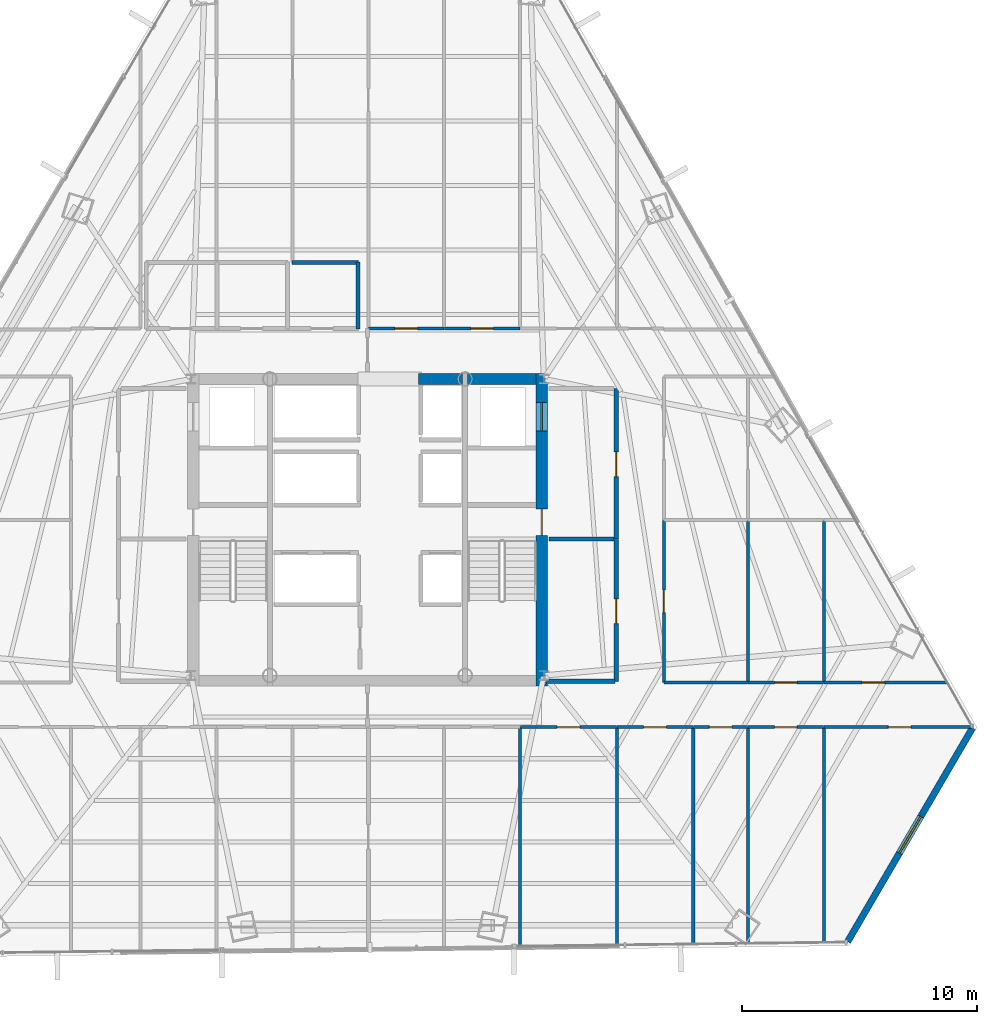
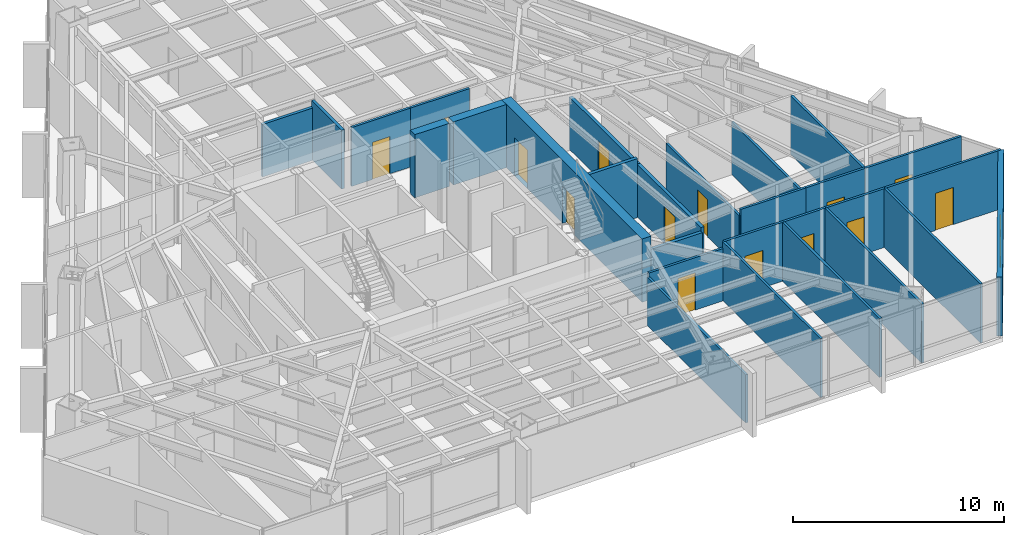
# One storey, part 31 of 35: 28 walls, 14 doors, 1 window, 15 openings.
"""IFC4 building model written with IfcOpenShell, lengths in metres."""

from ifc_helpers import new_model, si_unit, direction, frame, frame_2d, origin, place, context, subcontext, project, spatial, rectangle, extrude, material, layer, layer_set, type_object, element, fill, save


model = new_model("IFC4")

# Units and contexts
model_context = context("Model", 3, precision=1e-05, world=origin(), true_north=direction((0.0, 1.0)))
body_context = subcontext(model_context, "Body", "Model", "MODEL_VIEW")
ifc_project = project(units=[si_unit("LENGTHUNIT", "METRE"), si_unit("AREAUNIT", "SQUARE_METRE"), si_unit("VOLUMEUNIT", "CUBIC_METRE"), si_unit("PLANEANGLEUNIT", "RADIAN"), si_unit("MASSUNIT", "GRAM", prefix="KILO")], contexts=[model_context])

# Site, building, storey
site_placement = place(None, origin())
site = spatial("IfcSite", under=ifc_project, at=site_placement, CompositionType="ELEMENT")
building_placement = place(site_placement, origin())
building = spatial("IfcBuilding", under=site, at=building_placement, Name="Caelisora Broadcast Tower", CompositionType="ELEMENT")
storey_placement = place(building_placement, frame((0.0, 0.0, 123.64990234375)))
storey = spatial("IfcBuildingStorey", under=building, at=storey_placement, Name="L32", CompositionType="ELEMENT", Elevation=123.64990234375)

# Wall, openings, doors
ifc_material_1 = material(Name="Concrete 50 MPa (AS 3600 S50)", Category="concrete")
ifc_layer_1 = layer(ifc_material_1, 0.5, Name="Concrete 50 MPa (AS 3600 S50)")
ifc_layer_set_1 = layer_set([ifc_layer_1], Name="Concrete 50 MPa (AS 3600 S50)")
wall_type_1 = type_object("IfcWallType", Name="CW2", PredefinedType="SHEAR", material=ifc_layer_set_1)
wall_1_placement = place(storey_placement, frame((45.409912109375, 16.949951171875, 0.0), z_axis=(0.0, 0.0, 1.0), x_axis=(0.0, 1.0, 0.0)))
wall_1 = element("IfcWall", 1, at=wall_1_placement, inside=storey, type_object=wall_type_1, Name="L32 core shear wall CW2", PredefinedType="SHEAR", context=body_context, shape_type="SweptSolid", body=[
    extrude(rectangle(XDim=13.275146484375, YDim=0.5, at=frame_2d((6.6376953125, 0.0))), origin(), (0.0, 0.0, 1.0), 3.650146484375),
])
opening_1_placement = place(wall_1_placement, frame((6.39990234375, 0.0, 0.0)))
opening_1 = element("IfcOpeningElement", 2, at=opening_1_placement, cuts=wall_1, Name="Opening FD04", PredefinedType="OPENING", context=body_context, shape_type="SweptSolid", body=[
    extrude(rectangle(XDim=1.1201171875, YDim=2.14990234375, at=frame_2d((0.56005859375, 1.074951171875))), frame((0.0, 0.261962890625, 0.0), z_axis=(0.0, -1.0, 0.0), x_axis=(1.0, 0.0, 0.0)), (0.0, 0.0, 1.0), 0.52392578125),
])
opening_2_placement = place(wall_1_placement, frame((10.85009765625, 0.0, 0.0)))
opening_2 = element("IfcOpeningElement", 3, at=opening_2_placement, cuts=wall_1, Name="Opening LD04", PredefinedType="OPENING", context=body_context, shape_type="SweptSolid", body=[
    extrude(rectangle(XDim=1.199951171875, YDim=2.199951171875, at=frame_2d((0.60009765625, 1.10009765625))), frame((0.0, 0.261962890625, 0.0), z_axis=(0.0, -1.0, 0.0), x_axis=(1.0, 0.0, 0.0)), (0.0, 0.0, 1.0), 0.52392578125),
])
ifc_material_2 = material(Name="Pressurised Fire-Isolated Stair Door", Category="steel")
door_type_1 = type_object("IfcDoorType", Name="FD04", OperationType="NOTDEFINED", PredefinedType="DOOR", material=ifc_material_2)
door_1_placement = place(opening_1_placement, origin())
door_1 = element("IfcDoor", 4, at=door_1_placement, inside=storey, type_object=door_type_1, Name="L32 door FD04 (L32-DR-ST2)", OperationType="SINGLE_SWING_RIGHT", OverallHeight=2.14990234375, OverallWidth=1.1201171875, PredefinedType="DOOR", context=body_context, shape_type="SweptSolid", body=[
    extrude(rectangle(XDim=1.1201171875, YDim=2.14990234375, at=frame_2d((0.56005859375, 1.074951171875))), frame((0.0, 0.02490234375, 0.0), z_axis=(0.0, -1.0, 0.0), x_axis=(1.0, 0.0, 0.0)), (0.0, 0.0, 1.0), 0.050048828125),
])
fill(opening_1, door_1)
ifc_material_3 = material(Name="Emergency Firefighting Lift Sliding Landing Door", Category="steel")
door_type_2 = type_object("IfcDoorType", Name="LD04", OperationType="NOTDEFINED", PredefinedType="DOOR", material=ifc_material_3)
door_2_placement = place(opening_2_placement, origin())
door_2 = element("IfcDoor", 5, at=door_2_placement, inside=storey, type_object=door_type_2, Name="L32 door LD04 (L32-LD-FFL2)", OperationType="SLIDING_TO_RIGHT", OverallHeight=2.199951171875, OverallWidth=1.199951171875, PredefinedType="DOOR", context=body_context, shape_type="SweptSolid", body=[
    extrude(rectangle(XDim=1.199951171875, YDim=2.199951171875, at=frame_2d((0.60009765625, 1.10009765625))), frame((0.0, 0.02490234375, 0.0), z_axis=(0.0, -1.0, 0.0), x_axis=(1.0, 0.0, 0.0)), (0.0, 0.0, 1.0), 0.050048828125),
])
fill(opening_2, door_2)

# Walls
ifc_layer_2 = layer(ifc_material_1, 0.449951171875, Name="Concrete 50 MPa (AS 3600 S50)")
ifc_layer_set_2 = layer_set([ifc_layer_2], Name="Concrete 50 MPa (AS 3600 S50)")
wall_type_2 = type_object("IfcWallType", Name="CW5", PredefinedType="SHEAR", material=ifc_layer_set_2)
wall_2_placement = place(storey_placement, frame((40.159912109375, 30.0, 0.0), z_axis=(0.0, 0.0, 1.0), x_axis=(1.0, 0.0, 0.0)))
element("IfcWall", 6, at=wall_2_placement, inside=storey, type_object=wall_type_2, Name="L32 core shear wall CW5", PredefinedType="SHEAR", context=body_context, shape_type="SweptSolid", body=[
    extrude(rectangle(XDim=1.880126953125, YDim=0.449951171875, at=frame_2d((0.93994140625, 0.0))), origin(), (0.0, 0.0, 1.0), 3.650146484375),
])
wall_3_placement = place(storey_placement, frame((42.260009765625, 30.0, 0.0), z_axis=(0.0, 0.0, 1.0), x_axis=(1.0, 0.0, 0.0)))
element("IfcWall", 7, at=wall_3_placement, inside=storey, type_object=wall_type_2, Name="L32 core shear wall CW5", PredefinedType="SHEAR", context=body_context, shape_type="SweptSolid", body=[
    extrude(rectangle(XDim=2.89990234375, YDim=0.449951171875, at=frame_2d((1.449951171875, 0.0))), origin(), (0.0, 0.0, 1.0), 3.650146484375),
])

# Wall, opening, window
ifc_material_4 = material(Name="Insulated Terracotta Spandrel Wall System", Category="masonry")
ifc_layer_3 = layer(ifc_material_4, 0.280029296875, Name="Insulated Terracotta Spandrel Wall System")
ifc_layer_set_3 = layer_set([ifc_layer_3], Name="Insulated Terracotta Spandrel Wall System")
wall_type_3 = type_object("IfcWallType", Name="EW1", PredefinedType="STANDARD", material=ifc_layer_set_3)
wall_4_placement = place(storey_placement, frame((63.721923828125, 15.1669921875, 0.0), z_axis=(0.0, 0.0, 1.0), x_axis=(-0.504471184062, -0.863428528861, 0.0)))
wall_4 = element("IfcWall", 8, at=wall_4_placement, inside=storey, type_object=wall_type_3, Name="L32 exterior envelope wall EW1", PredefinedType="STANDARD", context=body_context, shape_type="SweptSolid", body=[
    extrude(rectangle(XDim=10.519775390625, YDim=0.280029296875, at=frame_2d((5.259765625, 0.0))), origin(), (0.0, 0.0, 1.0), 3.400146484375),
])
opening_3_placement = place(wall_4_placement, frame((4.360107421875, 0.0, 0.89990234375)))
opening_3 = element("IfcOpeningElement", 9, at=opening_3_placement, cuts=wall_4, Name="Opening W01", PredefinedType="OPENING", context=body_context, shape_type="SweptSolid", body=[
    extrude(rectangle(XDim=1.800048828125, YDim=1.800048828125, at=frame_2d((0.89990234375, 0.89990234375))), frame((0.0, 0.152099609375, 0.0), z_axis=(0.0, -1.0, 0.0), x_axis=(1.0, 0.0, 0.0)), (0.0, 0.0, 1.0), 0.303955078125),
])
ifc_material_5 = material(Name="Double Glazed Terracotta-Framed Vision Window", Category="glass")
window_type = type_object("IfcWindowType", Name="W01", PartitioningType="SINGLE_PANEL", PredefinedType="WINDOW", material=ifc_material_5)
window_placement = place(opening_3_placement, origin())
window = element("IfcWindow", 10, at=window_placement, inside=storey, type_object=window_type, Name="L32 window W01 (L32-WN-CH0)", OverallHeight=1.800048828125, OverallWidth=1.800048828125, PartitioningType="SINGLE_PANEL", PredefinedType="WINDOW", context=body_context, shape_type="SweptSolid", body=[
    extrude(rectangle(XDim=1.800048828125, YDim=1.800048828125, at=frame_2d((0.89990234375, 0.89990234375))), frame((0.0, 0.030029296875, 0.0), z_axis=(0.0, -1.0, 0.0), x_axis=(1.0, 0.0, 0.0)), (0.0, 0.0, 1.0), 0.06005859375),
])
fill(opening_3, window)

# Wall, opening, door
ifc_material_6 = material(Name="Fire-Rated Gypsum Shaft and Compartment Wall", Category="gypsum")
ifc_layer_4 = layer(ifc_material_6, 0.179931640625, Name="Fire-Rated Gypsum Shaft and Compartment Wall")
ifc_layer_set_4 = layer_set([ifc_layer_4], Name="Fire-Rated Gypsum Shaft and Compartment Wall")
wall_type_4 = type_object("IfcWallType", Name="PW2", PredefinedType="PARTITIONING", material=ifc_layer_set_4)
wall_5_placement = place(storey_placement, frame((48.580078125, 23.199951171875, 0.0), z_axis=(0.0, 0.0, 1.0), x_axis=(0.0, 1.0, 0.0)))
wall_5 = element("IfcWall", 11, at=wall_5_placement, inside=storey, type_object=wall_type_4, Name="L32 fire compartment wall PW2", PredefinedType="PARTITIONING", context=body_context, shape_type="SweptSolid", body=[
    extrude(rectangle(XDim=6.400146484375, YDim=0.179931640625, at=frame_2d((3.2001953125, 0.0))), origin(), (0.0, 0.0, 1.0), 3.026611328125),
])
opening_4_placement = place(wall_5_placement, frame((2.64990234375, 0.0, 0.0)))
opening_4 = element("IfcOpeningElement", 12, at=opening_4_placement, cuts=wall_5, Name="Opening FD02", PredefinedType="OPENING", context=body_context, shape_type="SweptSolid", body=[
    extrude(rectangle(XDim=1.050048828125, YDim=2.14990234375, at=frame_2d((0.52490234375, 1.074951171875))), frame((0.0, 0.10205078125, 0.0), z_axis=(0.0, -1.0, 0.0), x_axis=(1.0, 0.0, 0.0)), (0.0, 0.0, 1.0), 0.203857421875),
])
ifc_material_7 = material(Name="Single-Leaf Steel Fire Lobby Door", Category="steel")
door_type_3 = type_object("IfcDoorType", Name="FD02", OperationType="NOTDEFINED", PredefinedType="DOOR", material=ifc_material_7)
door_3_placement = place(opening_4_placement, origin())
door_3 = element("IfcDoor", 13, at=door_3_placement, inside=storey, type_object=door_type_3, Name="L32 door FD02 (L32-DR-P04D1)", OperationType="SINGLE_SWING_RIGHT", OverallHeight=2.14990234375, OverallWidth=1.050048828125, PredefinedType="DOOR", context=body_context, shape_type="SweptSolid", body=[
    extrude(rectangle(XDim=1.050048828125, YDim=2.14990234375, at=frame_2d((0.52490234375, 1.074951171875))), frame((0.0, 0.02490234375, 0.0), z_axis=(0.0, -1.0, 0.0), x_axis=(1.0, 0.0, 0.0)), (0.0, 0.0, 1.0), 0.050048828125),
])
fill(opening_4, door_3)

# Wall
wall_6_placement = place(storey_placement, frame((45.719970703125, 23.199951171875, 0.0), z_axis=(0.0, 0.0, 1.0), x_axis=(1.0, 0.0, 0.0)))
element("IfcWall", 14, at=wall_6_placement, inside=storey, type_object=wall_type_4, Name="L32 fire compartment wall PW2", PredefinedType="PARTITIONING", context=body_context, shape_type="SweptSolid", body=[
    extrude(rectangle(XDim=2.760009765625, YDim=0.179931640625, at=frame_2d((1.3798828125, 0.0))), origin(), (0.0, 0.0, 1.0), 3.400146484375),
])

# Wall, opening, door
wall_7_placement = place(storey_placement, frame((48.580078125, 17.14990234375, 0.0), z_axis=(0.0, 0.0, 1.0), x_axis=(0.0, 1.0, 0.0)))
wall_7 = element("IfcWall", 15, at=wall_7_placement, inside=storey, type_object=wall_type_4, Name="L32 fire compartment wall PW2", PredefinedType="PARTITIONING", context=body_context, shape_type="SweptSolid", body=[
    extrude(rectangle(XDim=6.030029296875, YDim=0.179931640625, at=frame_2d((3.01513671875, 0.0))), origin(), (0.0, 0.0, 1.0), 3.026611328125),
])
opening_5_placement = place(wall_7_placement, frame((2.449951171875, 0.0, 0.0)))
opening_5 = element("IfcOpeningElement", 16, at=opening_5_placement, cuts=wall_7, Name="Opening FD02", PredefinedType="OPENING", context=body_context, shape_type="SweptSolid", body=[
    extrude(rectangle(XDim=1.050048828125, YDim=2.14990234375, at=frame_2d((0.52490234375, 1.074951171875))), frame((0.0, 0.10205078125, 0.0), z_axis=(0.0, -1.0, 0.0), x_axis=(1.0, 0.0, 0.0)), (0.0, 0.0, 1.0), 0.203857421875),
])
door_4_placement = place(opening_5_placement, origin())
door_4 = element("IfcDoor", 17, at=door_4_placement, inside=storey, type_object=door_type_3, Name="L32 door FD02 (L32-DR-P14D1)", OperationType="SINGLE_SWING_LEFT", OverallHeight=2.14990234375, OverallWidth=1.050048828125, PredefinedType="DOOR", context=body_context, shape_type="SweptSolid", body=[
    extrude(rectangle(XDim=1.050048828125, YDim=2.14990234375, at=frame_2d((0.52490234375, 1.074951171875))), frame((0.0, 0.02490234375, 0.0), z_axis=(0.0, -1.0, 0.0), x_axis=(1.0, 0.0, 0.0)), (0.0, 0.0, 1.0), 0.050048828125),
])
fill(opening_5, door_4)

# Walls
wall_8_placement = place(storey_placement, frame((45.6201171875, 17.14990234375, 0.0), z_axis=(0.0, 0.0, 1.0), x_axis=(1.0, 0.0, 0.0)))
element("IfcWall", 18, at=wall_8_placement, inside=storey, type_object=wall_type_4, Name="L32 fire compartment wall PW2", PredefinedType="PARTITIONING", context=body_context, shape_type="SweptSolid", body=[
    extrude(rectangle(XDim=2.89990234375, YDim=0.179931640625, at=frame_2d((1.449951171875, 0.0))), origin(), (0.0, 0.0, 1.0), 2.782958984375),
])
ifc_material_8 = material(Name="Acoustic Steel-Stud Plasterboard Partition", Category="gypsum")
ifc_layer_5 = layer(ifc_material_8, 0.1298828125, Name="Acoustic Steel-Stud Plasterboard Partition")
ifc_layer_set_5 = layer_set([ifc_layer_5], Name="Acoustic Steel-Stud Plasterboard Partition")
wall_type_5 = type_object("IfcWallType", Name="PW3", PredefinedType="PARTITIONING", material=ifc_layer_set_5)
wall_9_placement = place(storey_placement, frame((44.489990234375, 5.879638671875, 0.0), z_axis=(0.0, 0.0, 1.0), x_axis=(0.0, 1.0, 0.0)))
element("IfcWall", 19, at=wall_9_placement, inside=storey, type_object=wall_type_5, Name="L32 internal partition PW3", PredefinedType="PARTITIONING", context=body_context, shape_type="SweptSolid", body=[
    extrude(rectangle(XDim=9.3154296875, YDim=0.1298828125, at=frame_2d((4.65771484375, 0.0))), origin(), (0.0, 0.0, 1.0), 2.782958984375),
])
wall_10_placement = place(storey_placement, frame((48.60009765625, 5.930908203125, 0.0), z_axis=(0.0, 0.0, 1.0), x_axis=(0.0, 1.0, 0.0)))
element("IfcWall", 20, at=wall_10_placement, inside=storey, type_object=wall_type_5, Name="L32 internal partition PW3", PredefinedType="PARTITIONING", context=body_context, shape_type="SweptSolid", body=[
    extrude(rectangle(XDim=9.26416015625, YDim=0.1298828125, at=frame_2d((4.632080078125, 0.0))), origin(), (0.0, 0.0, 1.0), 3.400146484375),
])
wall_11_placement = place(storey_placement, frame((51.85009765625, 5.97119140625, 0.0), z_axis=(0.0, 0.0, 1.0), x_axis=(0.0, 1.0, 0.0)))
element("IfcWall", 21, at=wall_11_placement, inside=storey, type_object=wall_type_5, Name="L32 internal partition PW3", PredefinedType="PARTITIONING", context=body_context, shape_type="SweptSolid", body=[
    extrude(rectangle(XDim=9.223876953125, YDim=0.1298828125, at=frame_2d((4.61181640625, 0.0))), origin(), (0.0, 0.0, 1.0), 3.400146484375),
])
wall_12_placement = place(storey_placement, frame((54.169921875, 6.000244140625, 0.0), z_axis=(0.0, 0.0, 1.0), x_axis=(0.0, 1.0, 0.0)))
element("IfcWall", 22, at=wall_12_placement, inside=storey, type_object=wall_type_5, Name="L32 internal partition PW3", PredefinedType="PARTITIONING", context=body_context, shape_type="SweptSolid", body=[
    extrude(rectangle(XDim=9.19482421875, YDim=0.1298828125, at=frame_2d((4.597412109375, 0.0))), origin(), (0.0, 0.0, 1.0), 3.400146484375),
])
wall_13_placement = place(storey_placement, frame((57.39990234375, 6.04052734375, 0.0), z_axis=(0.0, 0.0, 1.0), x_axis=(0.0, 1.0, 0.0)))
element("IfcWall", 23, at=wall_13_placement, inside=storey, type_object=wall_type_5, Name="L32 internal partition PW3", PredefinedType="PARTITIONING", context=body_context, shape_type="SweptSolid", body=[
    extrude(rectangle(XDim=9.154541015625, YDim=0.1298828125, at=frame_2d((4.5771484375, 0.0))), origin(), (0.0, 0.0, 1.0), 3.400146484375),
])

# Wall, opening, door
wall_14_placement = place(storey_placement, frame((50.60009765625, 17.10498046875, 0.0), z_axis=(0.0, 0.0, 1.0), x_axis=(0.0, 1.0, 0.0)))
wall_14 = element("IfcWall", 24, at=wall_14_placement, inside=storey, type_object=wall_type_5, Name="L32 internal partition PW3", PredefinedType="PARTITIONING", context=body_context, shape_type="SweptSolid", body=[
    extrude(rectangle(XDim=6.89013671875, YDim=0.1298828125, at=frame_2d((3.445068359375, 0.0))), origin(), (0.0, 0.0, 1.0), 3.026611328125),
])
opening_6_placement = place(wall_14_placement, frame((2.965087890625, 0.0, 0.0)))
opening_6 = element("IfcOpeningElement", 25, at=opening_6_placement, cuts=wall_14, Name="Opening D01", PredefinedType="OPENING", context=body_context, shape_type="SweptSolid", body=[
    extrude(rectangle(XDim=0.9599609375, YDim=2.14990234375, at=frame_2d((0.47998046875, 1.074951171875))), frame((0.0, 0.076904296875, 0.0), z_axis=(0.0, -1.0, 0.0), x_axis=(1.0, 0.0, 0.0)), (0.0, 0.0, 1.0), 0.15380859375),
])
ifc_material_9 = material(Name="Solid-Core Timber Acoustic Office Door", Category="wood")
door_type_4 = type_object("IfcDoorType", Name="D01", OperationType="NOTDEFINED", PredefinedType="DOOR", material=ifc_material_9)
door_5_placement = place(opening_6_placement, origin())
door_5 = element("IfcDoor", 26, at=door_5_placement, inside=storey, type_object=door_type_4, Name="L32 door D01 (L32-DR-P48D1)", OperationType="SINGLE_SWING_RIGHT", OverallHeight=2.14990234375, OverallWidth=0.9599609375, PredefinedType="DOOR", context=body_context, shape_type="SweptSolid", body=[
    extrude(rectangle(XDim=0.9599609375, YDim=2.14990234375, at=frame_2d((0.47998046875, 1.074951171875))), frame((0.0, 0.02490234375, 0.0), z_axis=(0.0, -1.0, 0.0), x_axis=(1.0, 0.0, 0.0)), (0.0, 0.0, 1.0), 0.050048828125),
])
fill(opening_6, door_5)

# Walls
wall_15_placement = place(storey_placement, frame((54.169921875, 17.10498046875, 0.0), z_axis=(0.0, 0.0, 1.0), x_axis=(0.0, 1.0, 0.0)))
element("IfcWall", 27, at=wall_15_placement, inside=storey, type_object=wall_type_5, Name="L32 internal partition PW3", PredefinedType="PARTITIONING", context=body_context, shape_type="SweptSolid", body=[
    extrude(rectangle(XDim=6.89013671875, YDim=0.1298828125, at=frame_2d((3.445068359375, 0.0))), origin(), (0.0, 0.0, 1.0), 3.026611328125),
])
wall_16_placement = place(storey_placement, frame((57.39990234375, 17.10498046875, 0.0), z_axis=(0.0, 0.0, 1.0), x_axis=(0.0, 1.0, 0.0)))
element("IfcWall", 28, at=wall_16_placement, inside=storey, type_object=wall_type_5, Name="L32 internal partition PW3", PredefinedType="PARTITIONING", context=body_context, shape_type="SweptSolid", body=[
    extrude(rectangle(XDim=6.89013671875, YDim=0.1298828125, at=frame_2d((3.445068359375, 0.0))), origin(), (0.0, 0.0, 1.0), 3.400146484375),
])

# Wall, opening, door
wall_17_placement = place(storey_placement, frame((57.405029296875, 15.199951171875, 0.0), z_axis=(0.0, 0.0, 1.0), x_axis=(1.0, 0.0, 0.0)))
wall_17 = element("IfcWall", 29, at=wall_17_placement, inside=storey, type_object=wall_type_5, Name="L32 internal partition PW3", PredefinedType="PARTITIONING", context=body_context, shape_type="SweptSolid", body=[
    extrude(rectangle(XDim=6.333740234375, YDim=0.1298828125, at=frame_2d((3.1669921875, 0.0))), origin(), (0.0, 0.0, 1.0), 3.400146484375),
])
opening_7_placement = place(wall_17_placement, frame((2.742919921875, 0.0, 0.0)))
opening_7 = element("IfcOpeningElement", 30, at=opening_7_placement, cuts=wall_17, Name="Opening D01", PredefinedType="OPENING", context=body_context, shape_type="SweptSolid", body=[
    extrude(rectangle(XDim=0.9599609375, YDim=2.14990234375, at=frame_2d((0.47998046875, 1.074951171875))), frame((0.0, 0.076904296875, 0.0), z_axis=(0.0, -1.0, 0.0), x_axis=(1.0, 0.0, 0.0)), (0.0, 0.0, 1.0), 0.15380859375),
])
door_6_placement = place(opening_7_placement, origin())
door_6 = element("IfcDoor", 31, at=door_6_placement, inside=storey, type_object=door_type_4, Name="L32 door D01 (L32-DR-P53D1)", OperationType="SINGLE_SWING_LEFT", OverallHeight=2.14990234375, OverallWidth=0.9599609375, PredefinedType="DOOR", context=body_context, shape_type="SweptSolid", body=[
    extrude(rectangle(XDim=0.9599609375, YDim=2.14990234375, at=frame_2d((0.47998046875, 1.074951171875))), frame((0.0, 0.02490234375, 0.0), z_axis=(0.0, -1.0, 0.0), x_axis=(1.0, 0.0, 0.0)), (0.0, 0.0, 1.0), 0.050048828125),
])
fill(opening_7, door_6)

wall_18_placement = place(storey_placement, frame((57.405029296875, 17.10009765625, 0.0), z_axis=(0.0, 0.0, 1.0), x_axis=(1.0, 0.0, 0.0)))
wall_18 = element("IfcWall", 32, at=wall_18_placement, inside=storey, type_object=wall_type_5, Name="L32 internal partition PW3", PredefinedType="PARTITIONING", context=body_context, shape_type="SweptSolid", body=[
    extrude(rectangle(XDim=5.255126953125, YDim=0.1298828125, at=frame_2d((2.62744140625, 0.0))), origin(), (0.0, 0.0, 1.0), 3.400146484375),
])
opening_8_placement = place(wall_18_placement, frame((1.6201171875, 0.0, 0.0)))
opening_8 = element("IfcOpeningElement", 33, at=opening_8_placement, cuts=wall_18, Name="Opening D01", PredefinedType="OPENING", context=body_context, shape_type="SweptSolid", body=[
    extrude(rectangle(XDim=0.9599609375, YDim=2.14990234375, at=frame_2d((0.47998046875, 1.074951171875))), frame((0.0, 0.076904296875, 0.0), z_axis=(0.0, -1.0, 0.0), x_axis=(1.0, 0.0, 0.0)), (0.0, 0.0, 1.0), 0.15380859375),
])
door_7_placement = place(opening_8_placement, origin())
door_7 = element("IfcDoor", 34, at=door_7_placement, inside=storey, type_object=door_type_4, Name="L32 door D01 (L32-DR-P59D1)", OperationType="SINGLE_SWING_RIGHT", OverallHeight=2.14990234375, OverallWidth=0.9599609375, PredefinedType="DOOR", context=body_context, shape_type="SweptSolid", body=[
    extrude(rectangle(XDim=0.9599609375, YDim=2.14990234375, at=frame_2d((0.47998046875, 1.074951171875))), frame((0.0, 0.02490234375, 0.0), z_axis=(0.0, -1.0, 0.0), x_axis=(1.0, 0.0, 0.0)), (0.0, 0.0, 1.0), 0.050048828125),
])
fill(opening_8, door_7)

wall_19_placement = place(storey_placement, frame((44.4951171875, 15.199951171875, 0.0), z_axis=(0.0, 0.0, 1.0), x_axis=(1.0, 0.0, 0.0)))
wall_19 = element("IfcWall", 35, at=wall_19_placement, inside=storey, type_object=wall_type_5, Name="L32 internal partition PW3", PredefinedType="PARTITIONING", context=body_context, shape_type="SweptSolid", body=[
    extrude(rectangle(XDim=4.099853515625, YDim=0.1298828125, at=frame_2d((2.0498046875, 0.0))), origin(), (0.0, 0.0, 1.0), 3.026611328125),
])
opening_9_placement = place(wall_19_placement, frame((1.570068359375, 0.0, 0.0)))
opening_9 = element("IfcOpeningElement", 36, at=opening_9_placement, cuts=wall_19, Name="Opening D01", PredefinedType="OPENING", context=body_context, shape_type="SweptSolid", body=[
    extrude(rectangle(XDim=0.9599609375, YDim=2.14990234375, at=frame_2d((0.47998046875, 1.074951171875))), frame((0.0, 0.076904296875, 0.0), z_axis=(0.0, -1.0, 0.0), x_axis=(1.0, 0.0, 0.0)), (0.0, 0.0, 1.0), 0.15380859375),
])
door_8_placement = place(opening_9_placement, origin())
door_8 = element("IfcDoor", 37, at=door_8_placement, inside=storey, type_object=door_type_4, Name="L32 door D01 (L32-DR-P62D1)", OperationType="SINGLE_SWING_LEFT", OverallHeight=2.14990234375, OverallWidth=0.9599609375, PredefinedType="DOOR", context=body_context, shape_type="SweptSolid", body=[
    extrude(rectangle(XDim=0.9599609375, YDim=2.14990234375, at=frame_2d((0.47998046875, 1.074951171875))), frame((0.0, 0.02490234375, 0.0), z_axis=(0.0, -1.0, 0.0), x_axis=(1.0, 0.0, 0.0)), (0.0, 0.0, 1.0), 0.050048828125),
])
fill(opening_9, door_8)

# Wall
wall_20_placement = place(storey_placement, frame((54.1650390625, 17.10009765625, 0.0), z_axis=(0.0, 0.0, 1.0), x_axis=(-1.0, 0.0, 0.0)))
element("IfcWall", 38, at=wall_20_placement, inside=storey, type_object=wall_type_5, Name="L32 internal partition PW3", PredefinedType="PARTITIONING", context=body_context, shape_type="SweptSolid", body=[
    extrude(rectangle(XDim=3.56005859375, YDim=0.1298828125, at=frame_2d((1.780029296875, 0.0))), origin(), (0.0, 0.0, 1.0), 3.400146484375),
])

# Wall, opening, door
wall_21_placement = place(storey_placement, frame((48.60498046875, 15.199951171875, 0.0), z_axis=(0.0, 0.0, 1.0), x_axis=(1.0, 0.0, 0.0)))
wall_21 = element("IfcWall", 39, at=wall_21_placement, inside=storey, type_object=wall_type_5, Name="L32 internal partition PW3", PredefinedType="PARTITIONING", context=body_context, shape_type="SweptSolid", body=[
    extrude(rectangle(XDim=3.239990234375, YDim=0.1298828125, at=frame_2d((1.6201171875, 0.0))), origin(), (0.0, 0.0, 1.0), 3.400146484375),
])
opening_10_placement = place(wall_21_placement, frame((1.139892578125, 0.0, 0.0)))
opening_10 = element("IfcOpeningElement", 40, at=opening_10_placement, cuts=wall_21, Name="Opening D01", PredefinedType="OPENING", context=body_context, shape_type="SweptSolid", body=[
    extrude(rectangle(XDim=0.9599609375, YDim=2.14990234375, at=frame_2d((0.47998046875, 1.074951171875))), frame((0.0, 0.076904296875, 0.0), z_axis=(0.0, -1.0, 0.0), x_axis=(1.0, 0.0, 0.0)), (0.0, 0.0, 1.0), 0.15380859375),
])
door_9_placement = place(opening_10_placement, origin())
door_9 = element("IfcDoor", 41, at=door_9_placement, inside=storey, type_object=door_type_4, Name="L32 door D01 (L32-DR-P72D1)", OperationType="SINGLE_SWING_LEFT", OverallHeight=2.14990234375, OverallWidth=0.9599609375, PredefinedType="DOOR", context=body_context, shape_type="SweptSolid", body=[
    extrude(rectangle(XDim=0.9599609375, YDim=2.14990234375, at=frame_2d((0.47998046875, 1.074951171875))), frame((0.0, 0.02490234375, 0.0), z_axis=(0.0, -1.0, 0.0), x_axis=(1.0, 0.0, 0.0)), (0.0, 0.0, 1.0), 0.050048828125),
])
fill(opening_10, door_9)

wall_22_placement = place(storey_placement, frame((41.264892578125, 32.14990234375, 0.0), z_axis=(0.0, 0.0, 1.0), x_axis=(1.0, 0.0, 0.0)))
wall_22 = element("IfcWall", 42, at=wall_22_placement, inside=storey, type_object=wall_type_5, Name="L32 internal partition PW3", PredefinedType="PARTITIONING", context=body_context, shape_type="SweptSolid", body=[
    extrude(rectangle(XDim=3.22021484375, YDim=0.1298828125, at=frame_2d((1.610107421875, 0.0))), origin(), (0.0, 0.0, 1.0), 3.400146484375),
])
opening_11_placement = place(wall_22_placement, frame((1.1298828125, 0.0, 0.0)))
opening_11 = element("IfcOpeningElement", 43, at=opening_11_placement, cuts=wall_22, Name="Opening D01", PredefinedType="OPENING", context=body_context, shape_type="SweptSolid", body=[
    extrude(rectangle(XDim=0.9599609375, YDim=2.14990234375, at=frame_2d((0.47998046875, 1.074951171875))), frame((0.0, 0.076904296875, 0.0), z_axis=(0.0, -1.0, 0.0), x_axis=(1.0, 0.0, 0.0)), (0.0, 0.0, 1.0), 0.15380859375),
])
door_10_placement = place(opening_11_placement, origin())
door_10 = element("IfcDoor", 44, at=door_10_placement, inside=storey, type_object=door_type_4, Name="L32 door D01 (L32-DR-P74D1)", OperationType="SINGLE_SWING_LEFT", OverallHeight=2.14990234375, OverallWidth=0.9599609375, PredefinedType="DOOR", context=body_context, shape_type="SweptSolid", body=[
    extrude(rectangle(XDim=0.9599609375, YDim=2.14990234375, at=frame_2d((0.47998046875, 1.074951171875))), frame((0.0, 0.02490234375, 0.0), z_axis=(0.0, -1.0, 0.0), x_axis=(1.0, 0.0, 0.0)), (0.0, 0.0, 1.0), 0.050048828125),
])
fill(opening_11, door_10)

wall_23_placement = place(storey_placement, frame((54.175048828125, 17.10009765625, 0.0), z_axis=(0.0, 0.0, 1.0), x_axis=(1.0, 0.0, 0.0)))
wall_23 = element("IfcWall", 45, at=wall_23_placement, inside=storey, type_object=wall_type_5, Name="L32 internal partition PW3", PredefinedType="PARTITIONING", context=body_context, shape_type="SweptSolid", body=[
    extrude(rectangle(XDim=3.219970703125, YDim=0.1298828125, at=frame_2d((1.60986328125, 0.0))), origin(), (0.0, 0.0, 1.0), 3.400146484375),
])
opening_12_placement = place(wall_23_placement, frame((1.1298828125, 0.0, 0.0)))
opening_12 = element("IfcOpeningElement", 46, at=opening_12_placement, cuts=wall_23, Name="Opening D01", PredefinedType="OPENING", context=body_context, shape_type="SweptSolid", body=[
    extrude(rectangle(XDim=0.9599609375, YDim=2.14990234375, at=frame_2d((0.47998046875, 1.074951171875))), frame((0.0, 0.076904296875, 0.0), z_axis=(0.0, -1.0, 0.0), x_axis=(1.0, 0.0, 0.0)), (0.0, 0.0, 1.0), 0.15380859375),
])
door_11_placement = place(opening_12_placement, origin())
door_11 = element("IfcDoor", 47, at=door_11_placement, inside=storey, type_object=door_type_4, Name="L32 door D01 (L32-DR-P76D1)", OperationType="SINGLE_SWING_LEFT", OverallHeight=2.14990234375, OverallWidth=0.9599609375, PredefinedType="DOOR", context=body_context, shape_type="SweptSolid", body=[
    extrude(rectangle(XDim=0.9599609375, YDim=2.14990234375, at=frame_2d((0.47998046875, 1.074951171875))), frame((0.0, 0.02490234375, 0.0), z_axis=(0.0, -1.0, 0.0), x_axis=(1.0, 0.0, 0.0)), (0.0, 0.0, 1.0), 0.050048828125),
])
fill(opening_12, door_11)

wall_24_placement = place(storey_placement, frame((54.175048828125, 15.199951171875, 0.0), z_axis=(0.0, 0.0, 1.0), x_axis=(1.0, 0.0, 0.0)))
wall_24 = element("IfcWall", 48, at=wall_24_placement, inside=storey, type_object=wall_type_5, Name="L32 internal partition PW3", PredefinedType="PARTITIONING", context=body_context, shape_type="SweptSolid", body=[
    extrude(rectangle(XDim=3.219970703125, YDim=0.1298828125, at=frame_2d((1.60986328125, 0.0))), origin(), (0.0, 0.0, 1.0), 3.400146484375),
])
opening_13_placement = place(wall_24_placement, frame((1.1298828125, 0.0, 0.0)))
opening_13 = element("IfcOpeningElement", 49, at=opening_13_placement, cuts=wall_24, Name="Opening D01", PredefinedType="OPENING", context=body_context, shape_type="SweptSolid", body=[
    extrude(rectangle(XDim=0.9599609375, YDim=2.14990234375, at=frame_2d((0.47998046875, 1.074951171875))), frame((0.0, 0.076904296875, 0.0), z_axis=(0.0, -1.0, 0.0), x_axis=(1.0, 0.0, 0.0)), (0.0, 0.0, 1.0), 0.15380859375),
])
door_12_placement = place(opening_13_placement, origin())
door_12 = element("IfcDoor", 50, at=door_12_placement, inside=storey, type_object=door_type_4, Name="L32 door D01 (L32-DR-P77D1)", OperationType="SINGLE_SWING_RIGHT", OverallHeight=2.14990234375, OverallWidth=0.9599609375, PredefinedType="DOOR", context=body_context, shape_type="SweptSolid", body=[
    extrude(rectangle(XDim=0.9599609375, YDim=2.14990234375, at=frame_2d((0.47998046875, 1.074951171875))), frame((0.0, 0.02490234375, 0.0), z_axis=(0.0, -1.0, 0.0), x_axis=(1.0, 0.0, 0.0)), (0.0, 0.0, 1.0), 0.050048828125),
])
fill(opening_13, door_12)

wall_25_placement = place(storey_placement, frame((38.044921875, 32.14990234375, 0.0), z_axis=(0.0, 0.0, 1.0), x_axis=(1.0, 0.0, 0.0)))
wall_25 = element("IfcWall", 51, at=wall_25_placement, inside=storey, type_object=wall_type_5, Name="L32 internal partition PW3", PredefinedType="PARTITIONING", context=body_context, shape_type="SweptSolid", body=[
    extrude(rectangle(XDim=3.2099609375, YDim=0.1298828125, at=frame_2d((1.60498046875, 0.0))), origin(), (0.0, 0.0, 1.0), 3.400146484375),
])
opening_14_placement = place(wall_25_placement, frame((1.125, 0.0, 0.0)))
opening_14 = element("IfcOpeningElement", 52, at=opening_14_placement, cuts=wall_25, Name="Opening D01", PredefinedType="OPENING", context=body_context, shape_type="SweptSolid", body=[
    extrude(rectangle(XDim=0.9599609375, YDim=2.14990234375, at=frame_2d((0.47998046875, 1.074951171875))), frame((0.0, 0.076904296875, 0.0), z_axis=(0.0, -1.0, 0.0), x_axis=(1.0, 0.0, 0.0)), (0.0, 0.0, 1.0), 0.15380859375),
])
door_13_placement = place(opening_14_placement, origin())
door_13 = element("IfcDoor", 53, at=door_13_placement, inside=storey, type_object=door_type_4, Name="L32 door D01 (L32-DR-P82D1)", OperationType="SINGLE_SWING_RIGHT", OverallHeight=2.14990234375, OverallWidth=0.9599609375, PredefinedType="DOOR", context=body_context, shape_type="SweptSolid", body=[
    extrude(rectangle(XDim=0.9599609375, YDim=2.14990234375, at=frame_2d((0.47998046875, 1.074951171875))), frame((0.0, 0.02490234375, 0.0), z_axis=(0.0, -1.0, 0.0), x_axis=(1.0, 0.0, 0.0)), (0.0, 0.0, 1.0), 0.050048828125),
])
fill(opening_14, door_13)

wall_26_placement = place(storey_placement, frame((51.85498046875, 15.199951171875, 0.0), z_axis=(0.0, 0.0, 1.0), x_axis=(1.0, 0.0, 0.0)))
wall_26 = element("IfcWall", 54, at=wall_26_placement, inside=storey, type_object=wall_type_5, Name="L32 internal partition PW3", PredefinedType="PARTITIONING", context=body_context, shape_type="SweptSolid", body=[
    extrude(rectangle(XDim=2.31005859375, YDim=0.1298828125, at=frame_2d((1.155029296875, 0.0))), origin(), (0.0, 0.0, 1.0), 3.400146484375),
])
opening_15_placement = place(wall_26_placement, frame((0.675048828125, 0.0, 0.0)))
opening_15 = element("IfcOpeningElement", 55, at=opening_15_placement, cuts=wall_26, Name="Opening D01", PredefinedType="OPENING", context=body_context, shape_type="SweptSolid", body=[
    extrude(rectangle(XDim=0.9599609375, YDim=2.14990234375, at=frame_2d((0.47998046875, 1.074951171875))), frame((0.0, 0.076904296875, 0.0), z_axis=(0.0, -1.0, 0.0), x_axis=(1.0, 0.0, 0.0)), (0.0, 0.0, 1.0), 0.15380859375),
])
door_14_placement = place(opening_15_placement, origin())
door_14 = element("IfcDoor", 56, at=door_14_placement, inside=storey, type_object=door_type_4, Name="L32 door D01 (L32-DR-P88D1)", OperationType="SINGLE_SWING_RIGHT", OverallHeight=2.14990234375, OverallWidth=0.9599609375, PredefinedType="DOOR", context=body_context, shape_type="SweptSolid", body=[
    extrude(rectangle(XDim=0.9599609375, YDim=2.14990234375, at=frame_2d((0.47998046875, 1.074951171875))), frame((0.0, 0.02490234375, 0.0), z_axis=(0.0, -1.0, 0.0), x_axis=(1.0, 0.0, 0.0)), (0.0, 0.0, 1.0), 0.050048828125),
])
fill(opening_15, door_14)

# Walls
ifc_material_10 = material(Name="Moisture-Resistant Wet Plumbing Service Wall", Category="gypsum")
ifc_layer_6 = layer(ifc_material_10, 0.159912109375, Name="Moisture-Resistant Wet Plumbing Service Wall")
ifc_layer_set_6 = layer_set([ifc_layer_6], Name="Moisture-Resistant Wet Plumbing Service Wall")
wall_type_6 = type_object("IfcWallType", Name="PW4", PredefinedType="PLUMBINGWALL", material=ifc_layer_set_6)
wall_27_placement = place(storey_placement, frame((37.60009765625, 32.125, 0.0), z_axis=(0.0, 0.0, 1.0), x_axis=(0.0, 1.0, 0.0)))
element("IfcWall", 57, at=wall_27_placement, inside=storey, type_object=wall_type_6, Name="L32 wet plumbing wall PW4", PredefinedType="PLUMBINGWALL", context=body_context, shape_type="SweptSolid", body=[
    extrude(rectangle(XDim=2.85009765625, YDim=0.159912109375, at=frame_2d((1.425048828125, 0.0))), origin(), (0.0, 0.0, 1.0), 3.400146484375),
])
wall_28_placement = place(storey_placement, frame((37.625, 34.949951171875, 0.0), z_axis=(0.0, 0.0, 1.0), x_axis=(-1.0, 0.0, 0.0)))
element("IfcWall", 58, at=wall_28_placement, inside=storey, type_object=wall_type_6, Name="L32 wet plumbing wall PW4", PredefinedType="PLUMBINGWALL", context=body_context, shape_type="SweptSolid", body=[
    extrude(rectangle(XDim=2.840087890625, YDim=0.159912109375, at=frame_2d((1.419921875, 0.0))), origin(), (0.0, 0.0, 1.0), 3.026611328125),
])

save(model, "model.ifc")
